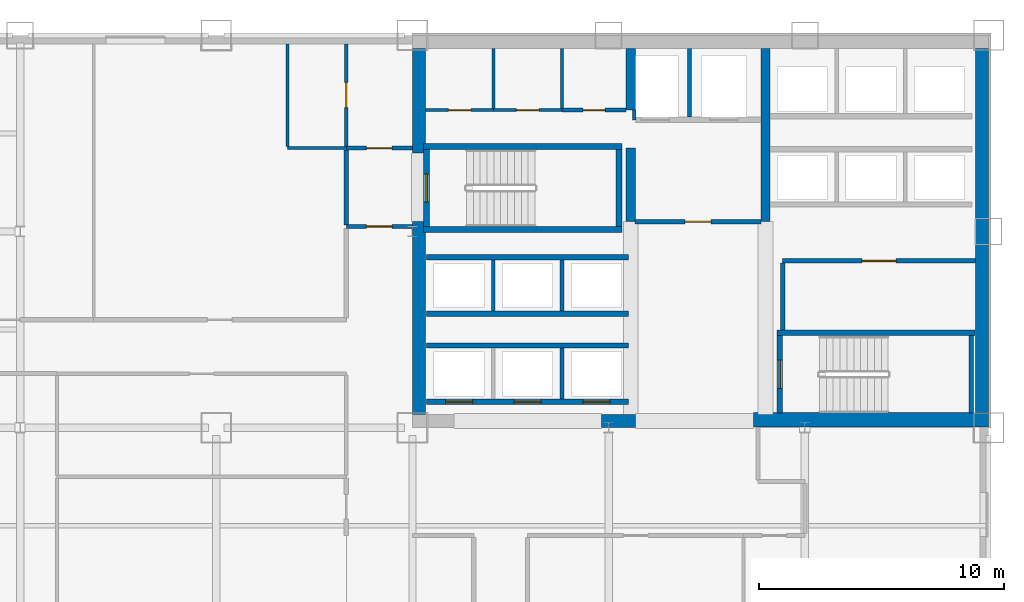
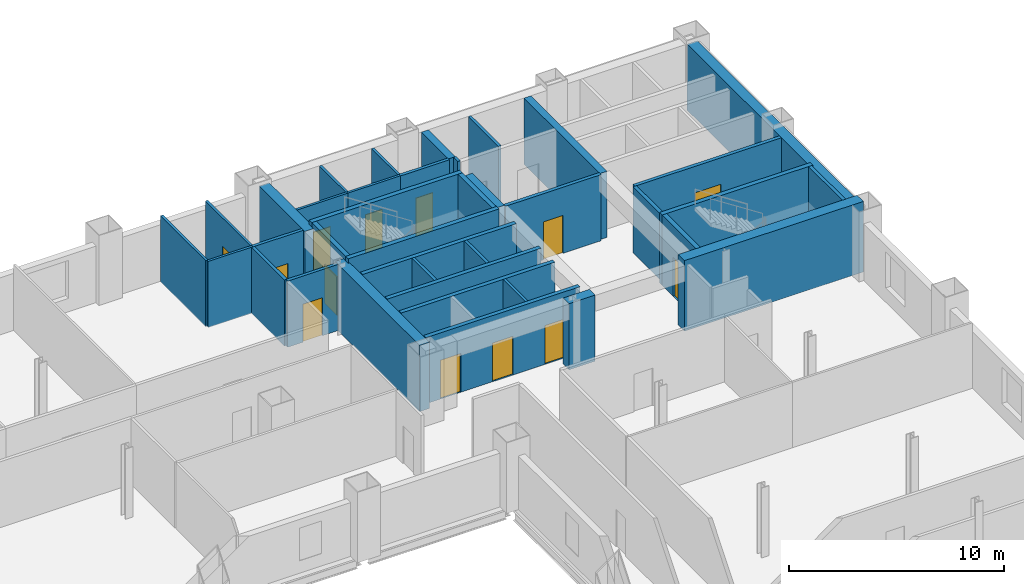
# One storey, part 6 of 9: 38 walls, 13 doors, 13 openings.
"""IFC4 building model written with IfcOpenShell, lengths in metres."""

import ifcopenshell
import ifcopenshell.guid

model = None  # the IFC model being written
_history = None  # IfcOwnerHistory: only IFC2X3 demands one
_inside = {}  # id of a spatial element -> (the spatial element, [elements in it])
_under = {}  # id of a project, library or spatial element -> (it, [spatial elements below it])
_declared = {}  # id of a project -> (the project, [libraries it declares])
_typed = {}  # id of a type object -> (the type object, [elements of that type])
_made_of = {}  # id of a material, layer set ... -> (it, [elements and type objects made of it])


def new_model(schema):
    """Start an empty IFC model of exactly this schema.

    Asked for "IFC4X3", IfcOpenShell would pick the latest addendum, in which some entities
    have other attributes; the version numbers below select the first issue.
    IFC2X3 requires an IfcOwnerHistory on every rooted entity: one is made here for all.
    """
    global model, _history
    if schema == "IFC4X3":
        model = ifcopenshell.file(schema_version=(4, 3, 0, 0))
    else:
        model = ifcopenshell.file(schema=schema)
    _inside.clear()
    _under.clear()
    _declared.clear()
    _typed.clear()
    _made_of.clear()
    _history = None
    if model.schema == "IFC2X3":
        org = make("IfcOrganization", Name="unknown")
        user = make(
            "IfcPersonAndOrganization",
            ThePerson=make("IfcPerson", FamilyName="unknown"),
            TheOrganization=org,
        )
        app = make(
            "IfcApplication",
            ApplicationDeveloper=org,
            Version="unknown",
            ApplicationFullName="unknown",
            ApplicationIdentifier="unknown",
        )
        _history = make(
            "IfcOwnerHistory",
            OwningUser=user,
            OwningApplication=app,
            ChangeAction="ADDED",
            CreationDate=0,
        )
    return model


def make(cls, **values):
    """One entity of the class cls with the attributes given. An attribute that is None is left unset."""
    return model.create_entity(
        cls, **{name: value for name, value in values.items() if value is not None}
    )


def rooted(cls, **values):
    """An entity with a GlobalId (a new one), such as an element, a storey or a relation."""
    return make(cls, GlobalId=ifcopenshell.guid.new(), OwnerHistory=_history, **values)


def si_unit(unit_type, name, prefix=None):
    """IfcSIUnit, for example si_unit("LENGTHUNIT", "METRE", prefix="MILLI")."""
    return make("IfcSIUnit", UnitType=unit_type, Prefix=prefix, Name=name)


def assignment(units):
    """IfcUnitAssignment: the units of a project."""
    return None if units is None else make("IfcUnitAssignment", Units=units)


def point(xyz):
    """IfcCartesianPoint."""
    return None if xyz is None else make("IfcCartesianPoint", Coordinates=xyz)


def direction(xyz):
    """IfcDirection."""
    return None if xyz is None else make("IfcDirection", DirectionRatios=xyz)


def frame(location, z_axis=None, x_axis=None):
    """IfcAxis2Placement3D, a coordinate frame: its origin and axes. An axis left out is left unset."""
    return make(
        "IfcAxis2Placement3D",
        Location=point(location),
        Axis=direction(z_axis),
        RefDirection=direction(x_axis),
    )


def frame_2d(location, x_axis=None):
    """IfcAxis2Placement2D, a coordinate frame in the plane: its origin and x axis."""
    return make(
        "IfcAxis2Placement2D", Location=point(location), RefDirection=direction(x_axis)
    )


def origin():
    """The frame at (0, 0, 0) with its axes left unset."""
    return frame((0.0, 0.0, 0.0))


def place(relative_to, where):
    """IfcLocalPlacement: puts the frame where relative to a parent placement (None: the world)."""
    return make(
        "IfcLocalPlacement", PlacementRelTo=relative_to, RelativePlacement=where
    )


def context(
    kind, dimensions, precision=None, world=None, true_north=None, identifier=None
):
    """IfcGeometricRepresentationContext, for example the 3D "Model" context."""
    return make(
        "IfcGeometricRepresentationContext",
        ContextIdentifier=identifier,
        ContextType=kind,
        CoordinateSpaceDimension=dimensions,
        Precision=precision,
        WorldCoordinateSystem=world,
        TrueNorth=true_north,
    )


def subcontext(parent, identifier, kind, view, scale=None):
    """IfcGeometricRepresentationSubContext, for example "Body" below "Model"."""
    return make(
        "IfcGeometricRepresentationSubContext",
        ContextIdentifier=identifier,
        ContextType=kind,
        ParentContext=parent,
        TargetScale=scale,
        TargetView=view,
    )


def project(units=None, contexts=None):
    """IfcProject with its units and contexts."""
    return rooted(
        "IfcProject",
        Name="project",
        RepresentationContexts=contexts,
        UnitsInContext=assignment(units),
    )


def spatial(cls, under=None, at=None, **own):
    """A site, building, storey or space (cls), placed at a placement, below another one or the project."""
    s = rooted(cls, ObjectPlacement=at, **own)
    if under is not None:
        _under.setdefault(under.id(), (under, []))[1].append(s)
    return s


def profile(cls, at=None, kind="AREA", **sizes):
    """A parametric profile (cls). Its sizes go by their IFC names, for example OverallWidth=200.0."""
    return make(cls, ProfileType=kind, Position=at, **sizes)


def rectangle(**sizes):
    """IfcRectangleProfileDef."""
    return profile("IfcRectangleProfileDef", **sizes)


def extrude(swept, where, along, depth):
    """IfcExtrudedAreaSolid: the profile swept, set in the frame where, extruded along a direction by depth."""
    return make(
        "IfcExtrudedAreaSolid",
        SweptArea=swept,
        Position=where,
        ExtrudedDirection=direction(along),
        Depth=depth,
    )


def shape(context_of_items, identifier, shape_type, items):
    """IfcShapeRepresentation: the items that make up one representation, for example the "Body"."""
    return make(
        "IfcShapeRepresentation",
        ContextOfItems=context_of_items,
        RepresentationIdentifier=identifier,
        RepresentationType=shape_type,
        Items=items,
    )


def material(Name=None, Category=None):
    """IfcMaterial."""
    return make("IfcMaterial", Name=Name, Category=Category)


def layer(
    of_material, thickness, ventilated=None, Name=None, Category=None, Priority=None
):
    """IfcMaterialLayer: one layer of a wall or slab, of a material (None: an air gap)."""
    return make(
        "IfcMaterialLayer",
        Material=of_material,
        LayerThickness=thickness,
        IsVentilated=ventilated,
        Name=Name,
        Category=Category,
        Priority=Priority,
    )


def layer_set(layers, Name=None):
    """IfcMaterialLayerSet."""
    return make("IfcMaterialLayerSet", MaterialLayers=layers, LayerSetName=Name)


def made_of(thing, what):
    """Note that an element or type object is made of a material, layer set ...; save() writes the relation."""
    if what is not None:
        _made_of.setdefault(what.id(), (what, []))[1].append(thing)
    return thing


def type_object(cls, material=None, **own):
    """A type object (cls), such as IfcWallType, which elements share."""
    return made_of(rooted(cls, **own), material)


def element(
    cls,
    number,
    at=None,
    inside=None,
    cuts=None,
    type_object=None,
    material=None,
    context=None,
    identifier="Body",
    shape_type=None,
    held_by="IfcProductDefinitionShape",
    body=None,
    shapes=None,
    **own,
):
    """One element of the class cls, such as IfcWall. Its Tag is "e" and its number.

    at: its placement. inside: the storey or other place that contains it. cuts: it is an
    opening in that element (IfcRelVoidsElement). A single representation is given by context,
    identifier, shape_type and body (its items); several are given by shapes. held_by: the class
    of the entity that holds the representations. save() writes the other relations.
    """
    e = rooted(cls, Tag="e%d" % number, ObjectPlacement=at, **own)
    if body is not None:
        shapes = [shape(context, identifier, shape_type, body)]
    if shapes is not None:
        e.Representation = make(held_by, Representations=shapes)
    if inside is not None:
        _inside.setdefault(inside.id(), (inside, []))[1].append(e)
    if cuts is not None:
        rooted(
            "IfcRelVoidsElement", RelatingBuildingElement=cuts, RelatedOpeningElement=e
        )
    if type_object is not None:
        _typed.setdefault(type_object.id(), (type_object, []))[1].append(e)
    return made_of(e, material)


def fill(opening, filler):
    """IfcRelFillsElement: the door or window that sits in an opening."""
    return rooted(
        "IfcRelFillsElement",
        RelatingOpeningElement=opening,
        RelatedBuildingElement=filler,
    )


def aggregate(whole, parts):
    """IfcRelAggregates: a whole, such as a stair, and the parts it consists of."""
    return rooted("IfcRelAggregates", RelatingObject=whole, RelatedObjects=parts)


def save(model, path):
    """Write the relations noted so far, then the file.

    IfcRelAggregates (storeys below a building ...), IfcRelContainedInSpatialStructure (elements
    in a storey), IfcRelDefinesByType, IfcRelAssociatesMaterial and IfcRelDeclares: one each for
    every whole, place, type object, material and project.
    """
    for whole, parts in _under.values():
        aggregate(whole, parts)
    for where, things in _inside.values():
        rooted(
            "IfcRelContainedInSpatialStructure",
            RelatedElements=things,
            RelatingStructure=where,
        )
    for kind, things in _typed.values():
        rooted("IfcRelDefinesByType", RelatedObjects=things, RelatingType=kind)
    for what, things in _made_of.values():
        rooted("IfcRelAssociatesMaterial", RelatedObjects=things, RelatingMaterial=what)
    for by, libraries in _declared.values():
        rooted("IfcRelDeclares", RelatingContext=by, RelatedDefinitions=libraries)
    model.write(path)


model = new_model("IFC4")

# Units and contexts
model_context = context("Model", 3, precision=1e-05, world=origin(), true_north=direction((0.0, 1.0)))
body_context = subcontext(model_context, "Body", "Model", "MODEL_VIEW")
ifc_project = project(units=[si_unit("LENGTHUNIT", "METRE"), si_unit("AREAUNIT", "SQUARE_METRE"), si_unit("VOLUMEUNIT", "CUBIC_METRE"), si_unit("PLANEANGLEUNIT", "RADIAN"), si_unit("MASSUNIT", "GRAM", prefix="KILO")], contexts=[model_context])

# Site, building, storey
site_placement = place(None, origin())
site = spatial("IfcSite", under=ifc_project, at=site_placement, CompositionType="ELEMENT")
building_placement = place(site_placement, origin())
building = spatial("IfcBuilding", under=site, at=building_placement, Name="Qianrong Seaharbour Tower", CompositionType="ELEMENT")
storey_placement = place(building_placement, frame((0.0, 0.0, 88.199951171875)))
storey = spatial("IfcBuildingStorey", under=building, at=storey_placement, Name="L21", CompositionType="ELEMENT", Elevation=88.199951171875)

# Walls
ifc_material_1 = material(Name="Concrete C70/85", Category="concrete")
ifc_layer_1 = layer(ifc_material_1, 0.5400390625)
ifc_layer_set_1 = layer_set([ifc_layer_1], Name="Concrete C70/85")
wall_type_1 = type_object("IfcWallType", Name="WALL-CORE-540", PredefinedType="SHEAR", material=ifc_layer_set_1)
wall_1_placement = place(storey_placement, frame((63.72998046875, 36.320068359375, 0.0), z_axis=(0.0, 0.0, 1.0), x_axis=(0.0, 1.0, 0.0)))
element("IfcWall", 1, at=wall_1_placement, inside=storey, type_object=wall_type_1, Name="L21 East Core Shear Wall", PredefinedType="SHEAR", context=body_context, shape_type="SweptSolid", body=[
    extrude(rectangle(XDim=15.139892578125, YDim=0.5400390625, at=frame_2d((7.56982421875, 0.0))), origin(), (0.0, 0.0, 1.0), 3.75),
])
wall_2_placement = place(storey_placement, frame((40.77001953125, 36.5400390625, 0.0), z_axis=(0.0, 0.0, 1.0), x_axis=(0.0, 1.0, 0.0)))
element("IfcWall", 2, at=wall_2_placement, inside=storey, type_object=wall_type_1, Name="L21 West Core Shear Wall South", PredefinedType="SHEAR", context=body_context, shape_type="SweptSolid", body=[
    extrude(rectangle(XDim=7.85986328125, YDim=0.5400390625, at=frame_2d((3.929931640625, 0.0))), origin(), (0.0, 0.0, 1.0), 3.75),
])
wall_3_placement = place(storey_placement, frame((40.77001953125, 47.199951171875, 0.0), z_axis=(0.0, 0.0, 1.0), x_axis=(0.0, 1.0, 0.0)))
element("IfcWall", 3, at=wall_3_placement, inside=storey, type_object=wall_type_1, Name="L21 West Core Shear Wall North", PredefinedType="SHEAR", context=body_context, shape_type="SweptSolid", body=[
    extrude(rectangle(XDim=4.260009765625, YDim=0.5400390625, at=frame_2d((2.1298828125, 0.0))), origin(), (0.0, 0.0, 1.0), 3.75),
])
wall_4_placement = place(storey_placement, frame((48.199951171875, 36.27001953125, 0.0), z_axis=(0.0, 0.0, 1.0), x_axis=(1.0, 0.0, 0.0)))
element("IfcWall", 4, at=wall_4_placement, inside=storey, type_object=wall_type_1, Name="L21 South Core Shear Wall S2", PredefinedType="SHEAR", context=body_context, shape_type="SweptSolid", body=[
    extrude(rectangle(XDim=1.400146484375, YDim=0.5400390625, at=frame_2d((0.7001953125, 0.0))), origin(), (0.0, 0.0, 1.0), 3.75),
])
ifc_layer_2 = layer(ifc_material_1, 0.580078125)
ifc_layer_set_2 = layer_set([ifc_layer_2], Name="Concrete C70/85")
wall_type_2 = type_object("IfcWallType", Name="WALL-CORE-580", PredefinedType="SHEAR", material=ifc_layer_set_2)
wall_5_placement = place(storey_placement, frame((54.39990234375, 36.320068359375, 0.0), z_axis=(0.0, 0.0, 1.0), x_axis=(1.0, 0.0, 0.0)))
element("IfcWall", 5, at=wall_5_placement, inside=storey, type_object=wall_type_2, Name="L21 South Core Shear Wall S3", PredefinedType="SHEAR", context=body_context, shape_type="SweptSolid", body=[
    extrude(rectangle(XDim=9.60009765625, YDim=0.580078125, at=frame_2d((4.800048828125, 0.0))), origin(), (0.0, 0.0, 1.0), 4.0),
])
ifc_material_2 = material(Name="Concrete C60/75", Category="concrete")
ifc_layer_3 = layer(ifc_material_2, 0.3798828125)
ifc_layer_set_3 = layer_set([ifc_layer_3], Name="Concrete C60/75")
wall_type_3 = type_object("IfcWallType", Name="WALL-CORE-INT-380", PredefinedType="SHEAR", material=ifc_layer_set_3)
wall_6_placement = place(storey_placement, frame((49.39990234375, 44.39990234375, 0.0), z_axis=(0.0, 0.0, 1.0), x_axis=(0.0, 1.0, 0.0)))
element("IfcWall", 6, at=wall_6_placement, inside=storey, type_object=wall_type_3, Name="L21 Internal Core Shear Wall IW1N1", PredefinedType="SHEAR", context=body_context, shape_type="SweptSolid", body=[
    extrude(rectangle(XDim=3.0, YDim=0.3798828125, at=frame_2d((1.5, 0.0))), origin(), (0.0, 0.0, 1.0), 3.75),
])
wall_7_placement = place(storey_placement, frame((49.39990234375, 48.949951171875, 0.0), z_axis=(0.0, 0.0, 1.0), x_axis=(0.0, 1.0, 0.0)))
element("IfcWall", 7, at=wall_7_placement, inside=storey, type_object=wall_type_3, Name="L21 Internal Core Shear Wall IW1N2", PredefinedType="SHEAR", context=body_context, shape_type="SweptSolid", body=[
    extrude(rectangle(XDim=2.510009765625, YDim=0.3798828125, at=frame_2d((1.2548828125, 0.0))), origin(), (0.0, 0.0, 1.0), 3.75),
])
wall_8_placement = place(storey_placement, frame((54.89990234375, 44.39990234375, 0.0), z_axis=(0.0, 0.0, 1.0), x_axis=(0.0, 1.0, 0.0)))
element("IfcWall", 8, at=wall_8_placement, inside=storey, type_object=wall_type_3, Name="L21 Internal Core Shear Wall IW2N", PredefinedType="SHEAR", context=body_context, shape_type="SweptSolid", body=[
    extrude(rectangle(XDim=7.06005859375, YDim=0.3798828125, at=frame_2d((3.530029296875, 0.0))), origin(), (0.0, 0.0, 1.0), 3.75),
])

# Wall, opening, door
ifc_material_3 = material(Name="Fire-rated acoustic gypsum board partition")
ifc_layer_4 = layer(ifc_material_3, 0.1650390625)
ifc_layer_set_4 = layer_set([ifc_layer_4], Name="Fire-rated acoustic gypsum board partition")
wall_type_4 = type_object("IfcWallType", Name="WALL-CORR-PART-165", PredefinedType="PARTITIONING", material=ifc_layer_set_4)
wall_9_placement = place(storey_placement, frame((37.800048828125, 47.39990234375, 0.0), z_axis=(0.0, 0.0, 1.0), x_axis=(1.0, 0.0, 0.0)))
wall_9 = element("IfcWall", 9, at=wall_9_placement, inside=storey, type_object=wall_type_4, Name="L21 Interior Partition Wall 001", PredefinedType="PARTITIONING", context=body_context, shape_type="SweptSolid", body=[
    extrude(rectangle(XDim=2.699951171875, YDim=0.1650390625, at=frame_2d((1.35009765625, 0.0))), origin(), (0.0, 0.0, 1.0), 3.75),
])
opening_1_placement = place(wall_9_placement, frame((0.824951171875, 0.0, 0.0)))
opening_1 = element("IfcOpeningElement", 10, at=opening_1_placement, cuts=wall_9, Name="Opening DC-01", PredefinedType="OPENING", context=body_context, shape_type="SweptSolid", body=[
    extrude(rectangle(XDim=1.050048828125, YDim=2.14990234375, at=frame_2d((0.52490234375, 1.074951171875))), frame((0.0, 0.092529296875, 0.0), z_axis=(0.0, -1.0, 0.0), x_axis=(1.0, 0.0, 0.0)), (0.0, 0.0, 1.0), 0.18505859375),
])
ifc_material_4 = material(Name="Acoustic timber and galvanized steel fire door assembly", Category="steel")
door_type_1 = type_object("IfcDoorType", Name="DOOR-CORR-FD60-1050x2150", OperationType="NOTDEFINED", PredefinedType="DOOR", material=ifc_material_4)
door_1_placement = place(opening_1_placement, origin())
door_1 = element("IfcDoor", 11, at=door_1_placement, inside=storey, type_object=door_type_1, Name="L21 Smokeproof Stair Vestibule ST-1 Door", OperationType="SINGLE_SWING_RIGHT", OverallHeight=2.14990234375, OverallWidth=1.050048828125, PredefinedType="DOOR", context=body_context, shape_type="SweptSolid", body=[
    extrude(rectangle(XDim=1.050048828125, YDim=2.14990234375, at=frame_2d((0.52490234375, 1.074951171875))), frame((0.0, 0.02490234375, 0.0), z_axis=(0.0, -1.0, 0.0), x_axis=(1.0, 0.0, 0.0)), (0.0, 0.0, 1.0), 0.050048828125),
])
fill(opening_1, door_1)

wall_10_placement = place(storey_placement, frame((40.5, 44.199951171875, 0.0), z_axis=(0.0, 0.0, 1.0), x_axis=(-1.0, 0.0, 0.0)))
wall_10 = element("IfcWall", 12, at=wall_10_placement, inside=storey, type_object=wall_type_4, Name="L21 Interior Partition Wall 002", PredefinedType="PARTITIONING", context=body_context, shape_type="SweptSolid", body=[
    extrude(rectangle(XDim=2.699951171875, YDim=0.1650390625, at=frame_2d((1.35009765625, 0.0))), origin(), (0.0, 0.0, 1.0), 3.75),
])
opening_2_placement = place(wall_10_placement, frame((0.824951171875, 0.0, 0.0)))
opening_2 = element("IfcOpeningElement", 13, at=opening_2_placement, cuts=wall_10, Name="Opening DC-01", PredefinedType="OPENING", context=body_context, shape_type="SweptSolid", body=[
    extrude(rectangle(XDim=1.050048828125, YDim=2.14990234375, at=frame_2d((0.52490234375, 1.074951171875))), frame((0.0, 0.092529296875, 0.0), z_axis=(0.0, -1.0, 0.0), x_axis=(1.0, 0.0, 0.0)), (0.0, 0.0, 1.0), 0.18505859375),
])
door_2_placement = place(opening_2_placement, origin())
door_2 = element("IfcDoor", 14, at=door_2_placement, inside=storey, type_object=door_type_1, Name="L21 Smokeproof Stair Vestibule ST-1 Door", OperationType="SINGLE_SWING_LEFT", OverallHeight=2.14990234375, OverallWidth=1.050048828125, PredefinedType="DOOR", context=body_context, shape_type="SweptSolid", body=[
    extrude(rectangle(XDim=1.050048828125, YDim=2.14990234375, at=frame_2d((0.52490234375, 1.074951171875))), frame((0.0, 0.02490234375, 0.0), z_axis=(0.0, -1.0, 0.0), x_axis=(1.0, 0.0, 0.0)), (0.0, 0.0, 1.0), 0.050048828125),
])
fill(opening_2, door_2)

# Wall
wall_11_placement = place(storey_placement, frame((37.800048828125, 44.2744140625, 0.0), z_axis=(0.0, 0.0, 1.0), x_axis=(0.0, 1.0, 0.0)))
element("IfcWall", 15, at=wall_11_placement, inside=storey, type_object=wall_type_4, Name="L21 Interior Partition Wall 003", PredefinedType="PARTITIONING", context=body_context, shape_type="SweptSolid", body=[
    extrude(rectangle(XDim=3.051025390625, YDim=0.1650390625, at=frame_2d((1.525390625, 0.0))), origin(), (0.0, 0.0, 1.0), 3.75),
])

# Wall, opening, door
wall_12_placement = place(storey_placement, frame((46.60009765625, 48.949951171875, 0.0), z_axis=(0.0, 0.0, 1.0), x_axis=(1.0, 0.0, 0.0)))
wall_12 = element("IfcWall", 16, at=wall_12_placement, inside=storey, type_object=wall_type_4, Name="L21 Interior Partition Wall 009", PredefinedType="PARTITIONING", context=body_context, shape_type="SweptSolid", body=[
    extrude(rectangle(XDim=2.617919921875, YDim=0.1650390625, at=frame_2d((1.30908203125, 0.0))), origin(), (0.0, 0.0, 1.0), 3.75),
])
opening_3_placement = place(wall_12_placement, frame((0.85888671875, 0.0, 0.0)))
opening_3 = element("IfcOpeningElement", 17, at=opening_3_placement, cuts=wall_12, Name="Opening DS-01", PredefinedType="OPENING", context=body_context, shape_type="SweptSolid", body=[
    extrude(rectangle(XDim=0.89990234375, YDim=2.14990234375, at=frame_2d((0.449951171875, 1.074951171875))), frame((0.0, 0.092529296875, 0.0), z_axis=(0.0, -1.0, 0.0), x_axis=(1.0, 0.0, 0.0)), (0.0, 0.0, 1.0), 0.18505859375),
])
door_type_2 = type_object("IfcDoorType", Name="DOOR-STORE-900x2150", OperationType="NOTDEFINED", PredefinedType="DOOR", material=ifc_material_4)
door_3_placement = place(opening_3_placement, origin())
door_3 = element("IfcDoor", 18, at=door_3_placement, inside=storey, type_object=door_type_2, Name="L21 Cleaner Store Room Door", OperationType="SINGLE_SWING_RIGHT", OverallHeight=2.14990234375, OverallWidth=0.89990234375, PredefinedType="DOOR", context=body_context, shape_type="SweptSolid", body=[
    extrude(rectangle(XDim=0.89990234375, YDim=2.14990234375, at=frame_2d((0.449951171875, 1.074951171875))), frame((0.0, 0.02490234375, 0.0), z_axis=(0.0, -1.0, 0.0), x_axis=(1.0, 0.0, 0.0)), (0.0, 0.0, 1.0), 0.050048828125),
])
fill(opening_3, door_3)

ifc_material_5 = material(Name="Double fire-rated gypsum board acoustic partition")
ifc_layer_5 = layer(ifc_material_5, 0.18994140625)
ifc_layer_set_5 = layer_set([ifc_layer_5], Name="Double fire-rated gypsum board acoustic partition")
wall_type_5 = type_object("IfcWallType", Name="WALL-FIRE-PART-190", PredefinedType="PARTITIONING", material=ifc_layer_set_5)
wall_13_placement = place(storey_placement, frame((54.718017578125, 44.39990234375, 0.0), z_axis=(0.0, 0.0, 1.0), x_axis=(-1.0, 0.0, 0.0)))
wall_13 = element("IfcWall", 19, at=wall_13_placement, inside=storey, type_object=wall_type_5, Name="L21 Interior Partition Wall 010", PredefinedType="PARTITIONING", context=body_context, shape_type="SweptSolid", body=[
    extrude(rectangle(XDim=5.135986328125, YDim=0.18994140625, at=frame_2d((2.56787109375, 0.0))), origin(), (0.0, 0.0, 1.0), 3.75),
])
opening_4_placement = place(wall_13_placement, frame((2.04296875, 0.0, 0.0)))
opening_4 = element("IfcOpeningElement", 20, at=opening_4_placement, cuts=wall_13, Name="Opening DC-01", PredefinedType="OPENING", context=body_context, shape_type="SweptSolid", body=[
    extrude(rectangle(XDim=1.050048828125, YDim=2.14990234375, at=frame_2d((0.52490234375, 1.074951171875))), frame((0.0, 0.10498046875, 0.0), z_axis=(0.0, -1.0, 0.0), x_axis=(1.0, 0.0, 0.0)), (0.0, 0.0, 1.0), 0.2099609375),
])
door_4_placement = place(opening_4_placement, origin())
door_4 = element("IfcDoor", 21, at=door_4_placement, inside=storey, type_object=door_type_1, Name="L21 Firefighting Lift Lobby Door", OperationType="SINGLE_SWING_LEFT", OverallHeight=2.14990234375, OverallWidth=1.050048828125, PredefinedType="DOOR", context=body_context, shape_type="SweptSolid", body=[
    extrude(rectangle(XDim=1.050048828125, YDim=2.14990234375, at=frame_2d((0.52490234375, 1.074951171875))), frame((0.0, 0.02490234375, 0.0), z_axis=(0.0, -1.0, 0.0), x_axis=(1.0, 0.0, 0.0)), (0.0, 0.0, 1.0), 0.050048828125),
])
fill(opening_4, door_4)

# Wall
wall_14_placement = place(storey_placement, frame((55.60009765625, 42.712890625, 0.0), z_axis=(0.0, 0.0, 1.0), x_axis=(0.0, -1.0, 0.0)))
element("IfcWall", 22, at=wall_14_placement, inside=storey, type_object=wall_type_5, Name="L21 Interior Partition Wall 011", PredefinedType="PARTITIONING", context=body_context, shape_type="SweptSolid", body=[
    extrude(rectangle(XDim=2.73095703125, YDim=0.18994140625, at=frame_2d((1.365478515625, 0.0))), origin(), (0.0, 0.0, 1.0), 3.75),
])

# Wall, opening, door
wall_15_placement = place(storey_placement, frame((63.4599609375, 42.800048828125, 0.0), z_axis=(0.0, 0.0, 1.0), x_axis=(-1.0, 0.0, 0.0)))
wall_15 = element("IfcWall", 23, at=wall_15_placement, inside=storey, type_object=wall_type_5, Name="L21 Interior Partition Wall 012", PredefinedType="PARTITIONING", context=body_context, shape_type="SweptSolid", body=[
    extrude(rectangle(XDim=7.85986328125, YDim=0.18994140625, at=frame_2d((3.929931640625, 0.0))), origin(), (0.0, 0.0, 1.0), 3.75),
])
opening_5_placement = place(wall_15_placement, frame((3.22998046875, 0.0, 0.0)))
opening_5 = element("IfcOpeningElement", 24, at=opening_5_placement, cuts=wall_15, Name="Opening DP-01", PredefinedType="OPENING", context=body_context, shape_type="SweptSolid", body=[
    extrude(rectangle(XDim=1.39990234375, YDim=2.25, at=frame_2d((0.699951171875, 1.125))), frame((0.0, 0.10498046875, 0.0), z_axis=(0.0, -1.0, 0.0), x_axis=(1.0, 0.0, 0.0)), (0.0, 0.0, 1.0), 0.2099609375),
])
door_type_3 = type_object("IfcDoorType", Name="DOOR-PLANT-PAIR-1400x2250", OperationType="DOUBLE_DOOR_SINGLE_SWING", PredefinedType="DOOR", material=ifc_material_4)
door_5_placement = place(opening_5_placement, origin())
door_5 = element("IfcDoor", 25, at=door_5_placement, inside=storey, type_object=door_type_3, Name="L21 Core Telecom Hub Room Door", OperationType="DOUBLE_DOOR_SINGLE_SWING", OverallHeight=2.25, OverallWidth=1.39990234375, PredefinedType="DOOR", context=body_context, shape_type="SweptSolid", body=[
    extrude(rectangle(XDim=1.39990234375, YDim=2.25, at=frame_2d((0.699951171875, 1.125))), frame((0.0, 0.02490234375, 0.0), z_axis=(0.0, -1.0, 0.0), x_axis=(1.0, 0.0, 0.0)), (0.0, 0.0, 1.0), 0.050048828125),
])
fill(opening_5, door_5)

# Walls
ifc_material_6 = material(Name="Fire-rated gypsum board on steel studs", Category="steel")
ifc_layer_6 = layer(ifc_material_6, 0.14990234375)
ifc_layer_set_6 = layer_set([ifc_layer_6], Name="Fire-rated gypsum board on steel studs")
wall_type_6 = type_object("IfcWallType", Name="WALL-SHAFT-DIV-150", PredefinedType="PARTITIONING", material=ifc_layer_set_6)
wall_16_placement = place(storey_placement, frame((51.800048828125, 48.669921875, 0.0), z_axis=(0.0, 0.0, 1.0), x_axis=(0.0, 1.0, 0.0)))
element("IfcWall", 26, at=wall_16_placement, inside=storey, type_object=wall_type_6, Name="L21 Firefighting Lift Shaft Divider Wall", PredefinedType="PARTITIONING", context=body_context, shape_type="SweptSolid", body=[
    extrude(rectangle(XDim=2.7900390625, YDim=0.14990234375, at=frame_2d((1.39501953125, 0.0))), origin(), (0.0, 0.0, 1.0), 3.75),
])
wall_17_placement = place(storey_placement, frame((49.550048828125, 48.550048828125, 0.0), z_axis=(0.0, 0.0, 1.0), x_axis=(0.0, 1.0, 0.0)))
element("IfcWall", 27, at=wall_17_placement, inside=storey, type_object=wall_type_6, Name="L21 Firefighting Lift Shaft West Return Wall", PredefinedType="PARTITIONING", context=body_context, shape_type="SweptSolid", body=[
    extrude(rectangle(XDim=0.39990234375, YDim=0.14990234375, at=frame_2d((0.199951171875, 0.0))), origin(), (0.0, 0.0, 1.0), 3.75),
])
for number, where, z_axis, x_axis, name in (
    (28, (46.60009765625, 37.159912109375, 0.0), (0.0, 0.0, 1.0), (0.0, 1.0, 0.0), "L21 P1 Lift Hoistway Divider 3"),
    (29, (43.800048828125, 40.760009765625, 0.0), (0.0, 0.0, 1.0), (0.0, 1.0, 0.0), "L21 P2 Lift Hoistway Divider 2"),
    (30, (46.60009765625, 40.760009765625, 0.0), (0.0, 0.0, 1.0), (0.0, 1.0, 0.0), "L21 P2 Lift Hoistway Divider 3"),
):
    element("IfcWall", number, at=place(storey_placement, frame(where, z_axis=z_axis, x_axis=x_axis)), inside=storey, type_object=wall_type_6, Name=name, PredefinedType="PARTITIONING", context=body_context, shape_type="SweptSolid", body=[
        extrude(rectangle(XDim=2.080078125, YDim=0.14990234375, at=frame_2d((1.0400390625, 0.0))), origin(), (0.0, 0.0, 1.0), 3.75),
    ])

# Wall, openings, doors
ifc_layer_7 = layer(ifc_material_6, 0.219970703125)
ifc_layer_set_7 = layer_set([ifc_layer_7], Name="Fire-rated gypsum board on steel studs")
wall_type_7 = type_object("IfcWallType", Name="WALL-SHAFT-GYP220", PredefinedType="PARTITIONING", material=ifc_layer_set_7)
wall_18_placement = place(storey_placement, frame((49.320068359375, 37.050048828125, 0.0), z_axis=(0.0, 0.0, 1.0), x_axis=(-1.0, 0.0, 0.0)))
wall_18 = element("IfcWall", 31, at=wall_18_placement, inside=storey, type_object=wall_type_7, Name="L21 P1 Lift Hoistway Front Wall", PredefinedType="PARTITIONING", context=body_context, shape_type="SweptSolid", body=[
    extrude(rectangle(XDim=8.239990234375, YDim=0.219970703125, at=frame_2d((4.1201171875, 0.0))), origin(), (0.0, 0.0, 1.0), 3.75),
])
opening_6_placement = place(wall_18_placement, frame((6.3701171875, 0.0, 0.0)))
opening_6 = element("IfcOpeningElement", 32, at=opening_6_placement, cuts=wall_18, Name="Opening LD-02", PredefinedType="OPENING", context=body_context, shape_type="SweptSolid", body=[
    extrude(rectangle(XDim=1.10009765625, YDim=2.199951171875, at=frame_2d((0.550048828125, 1.10009765625))), frame((0.0, 0.1201171875, 0.0), z_axis=(0.0, -1.0, 0.0), x_axis=(1.0, 0.0, 0.0)), (0.0, 0.0, 1.0), 0.239990234375),
])
opening_7_placement = place(wall_18_placement, frame((3.570068359375, 0.0, 0.0)))
opening_7 = element("IfcOpeningElement", 33, at=opening_7_placement, cuts=wall_18, Name="Opening LD-02", PredefinedType="OPENING", context=body_context, shape_type="SweptSolid", body=[
    extrude(rectangle(XDim=1.10009765625, YDim=2.199951171875, at=frame_2d((0.550048828125, 1.10009765625))), frame((0.0, 0.1201171875, 0.0), z_axis=(0.0, -1.0, 0.0), x_axis=(1.0, 0.0, 0.0)), (0.0, 0.0, 1.0), 0.239990234375),
])
opening_8_placement = place(wall_18_placement, frame((0.77001953125, 0.0, 0.0)))
opening_8 = element("IfcOpeningElement", 34, at=opening_8_placement, cuts=wall_18, Name="Opening LD-02", PredefinedType="OPENING", context=body_context, shape_type="SweptSolid", body=[
    extrude(rectangle(XDim=1.10009765625, YDim=2.199951171875, at=frame_2d((0.550048828125, 1.10009765625))), frame((0.0, 0.1201171875, 0.0), z_axis=(0.0, -1.0, 0.0), x_axis=(1.0, 0.0, 0.0)), (0.0, 0.0, 1.0), 0.239990234375),
])
ifc_material_7 = material(Name="Stainless steel SUS316L bi-parting lift landing door", Category="steel")
door_type_4 = type_object("IfcDoorType", Name="DOOR-LIFT-PASS-1100x2200", OperationType="DOUBLE_DOOR_SLIDING", PredefinedType="DOOR", material=ifc_material_7)
door_6_placement = place(opening_6_placement, origin())
door_6 = element("IfcDoor", 35, at=door_6_placement, inside=storey, type_object=door_type_4, Name="L21 PL-1A Lift Landing Door", OperationType="DOUBLE_DOOR_SLIDING", OverallHeight=2.199951171875, OverallWidth=1.10009765625, PredefinedType="DOOR", context=body_context, shape_type="SweptSolid", body=[
    extrude(rectangle(XDim=1.10009765625, YDim=2.199951171875, at=frame_2d((0.550048828125, 1.10009765625))), frame((0.0, 0.02490234375, 0.0), z_axis=(0.0, -1.0, 0.0), x_axis=(1.0, 0.0, 0.0)), (0.0, 0.0, 1.0), 0.050048828125),
])
fill(opening_6, door_6)
door_7_placement = place(opening_7_placement, origin())
door_7 = element("IfcDoor", 36, at=door_7_placement, inside=storey, type_object=door_type_4, Name="L21 PL-1B Lift Landing Door", OperationType="DOUBLE_DOOR_SLIDING", OverallHeight=2.199951171875, OverallWidth=1.10009765625, PredefinedType="DOOR", context=body_context, shape_type="SweptSolid", body=[
    extrude(rectangle(XDim=1.10009765625, YDim=2.199951171875, at=frame_2d((0.550048828125, 1.10009765625))), frame((0.0, 0.02490234375, 0.0), z_axis=(0.0, -1.0, 0.0), x_axis=(1.0, 0.0, 0.0)), (0.0, 0.0, 1.0), 0.050048828125),
])
fill(opening_7, door_7)
door_8_placement = place(opening_8_placement, origin())
door_8 = element("IfcDoor", 37, at=door_8_placement, inside=storey, type_object=door_type_4, Name="L21 PL-1C Lift Landing Door", OperationType="DOUBLE_DOOR_SLIDING", OverallHeight=2.199951171875, OverallWidth=1.10009765625, PredefinedType="DOOR", context=body_context, shape_type="SweptSolid", body=[
    extrude(rectangle(XDim=1.10009765625, YDim=2.199951171875, at=frame_2d((0.550048828125, 1.10009765625))), frame((0.0, 0.02490234375, 0.0), z_axis=(0.0, -1.0, 0.0), x_axis=(1.0, 0.0, 0.0)), (0.0, 0.0, 1.0), 0.050048828125),
])
fill(opening_8, door_8)

# Walls
for number, where, z_axis, x_axis, name in (
    (38, (41.080078125, 39.35009765625, 0.0), (0.0, 0.0, 1.0), (1.0, 0.0, 0.0), "L21 P1 Lift Hoistway Back Wall"),
    (39, (49.320068359375, 40.64990234375, 0.0), (0.0, 0.0, 1.0), (-1.0, 0.0, 0.0), "L21 P2 Lift Hoistway Front Wall"),
    (40, (41.080078125, 42.949951171875, 0.0), (0.0, 0.0, 1.0), (1.0, 0.0, 0.0), "L21 P2 Lift Hoistway Back Wall"),
):
    element("IfcWall", number, at=place(storey_placement, frame(where, z_axis=z_axis, x_axis=x_axis)), inside=storey, type_object=wall_type_7, Name=name, PredefinedType="PARTITIONING", context=body_context, shape_type="SweptSolid", body=[
        extrude(rectangle(XDim=8.239990234375, YDim=0.219970703125, at=frame_2d((4.1201171875, 0.0))), origin(), (0.0, 0.0, 1.0), 3.75),
    ])
ifc_material_8 = material(Name="Concrete C50/60", Category="concrete")
ifc_layer_8 = layer(ifc_material_8, 0.239990234375)
ifc_layer_set_8 = layer_set([ifc_layer_8], Name="Concrete C50/60")
wall_type_8 = type_object("IfcWallType", Name="WALL-SHAFT-RC240", PredefinedType="SOLIDWALL", material=ifc_layer_set_8)
for number, where, z_axis, x_axis, name in (
    (41, (40.9599609375, 47.469970703125, 0.0), (0.0, 0.0, 1.0), (1.0, 0.0, 0.0), "L21 ST-1 Structural Stair Core Wall N"),
    (42, (49.0400390625, 44.080078125, 0.0), (0.0, 0.0, 1.0), (-1.0, 0.0, 0.0), "L21 ST-1 Structural Stair Core Wall S"),
):
    element("IfcWall", number, at=place(storey_placement, frame(where, z_axis=z_axis, x_axis=x_axis)), inside=storey, type_object=wall_type_8, Name=name, PredefinedType="SOLIDWALL", context=body_context, shape_type="SweptSolid", body=[
        extrude(rectangle(XDim=8.080078125, YDim=0.239990234375, at=frame_2d((4.0400390625, 0.0))), origin(), (0.0, 0.0, 1.0), 4.0),
    ])

# Wall, opening, door
wall_19_placement = place(storey_placement, frame((41.080078125, 47.35009765625, 0.0), z_axis=(0.0, 0.0, 1.0), x_axis=(0.0, -1.0, 0.0)))
wall_19 = element("IfcWall", 43, at=wall_19_placement, inside=storey, type_object=wall_type_8, Name="L21 ST-1 Structural Stair Core Wall W", PredefinedType="SOLIDWALL", context=body_context, shape_type="SweptSolid", body=[
    extrude(rectangle(XDim=3.150146484375, YDim=0.239990234375, at=frame_2d((1.5751953125, 0.0))), origin(), (0.0, 0.0, 1.0), 4.0),
])
opening_9_placement = place(wall_19_placement, frame((1.0, 0.0, 0.0)))
opening_9 = element("IfcOpeningElement", 44, at=opening_9_placement, cuts=wall_19, Name="Opening SD-01", PredefinedType="OPENING", context=body_context, shape_type="SweptSolid", body=[
    extrude(rectangle(XDim=1.14990234375, YDim=2.199951171875, at=frame_2d((0.574951171875, 1.10009765625))), frame((0.0, 0.1298828125, 0.0), z_axis=(0.0, -1.0, 0.0), x_axis=(1.0, 0.0, 0.0)), (0.0, 0.0, 1.0), 0.260009765625),
])
door_type_5 = type_object("IfcDoorType", Name="DOOR-STAIR-FD60-1150x2200", OperationType="NOTDEFINED", PredefinedType="DOOR", material=ifc_material_4)
door_9_placement = place(opening_9_placement, origin())
door_9 = element("IfcDoor", 45, at=door_9_placement, inside=storey, type_object=door_type_5, Name="L21 ST-1 Protected Stair Door", OperationType="SINGLE_SWING_RIGHT", OverallHeight=2.199951171875, OverallWidth=1.14990234375, PredefinedType="DOOR", context=body_context, shape_type="SweptSolid", body=[
    extrude(rectangle(XDim=1.14990234375, YDim=2.199951171875, at=frame_2d((0.574951171875, 1.10009765625))), frame((0.0, 0.02490234375, 0.0), z_axis=(0.0, -1.0, 0.0), x_axis=(1.0, 0.0, 0.0)), (0.0, 0.0, 1.0), 0.050048828125),
])
fill(opening_9, door_9)

# Walls
wall_20_placement = place(storey_placement, frame((48.919921875, 44.199951171875, 0.0), z_axis=(0.0, 0.0, 1.0), x_axis=(0.0, 1.0, 0.0)))
element("IfcWall", 46, at=wall_20_placement, inside=storey, type_object=wall_type_8, Name="L21 ST-1 Structural Stair Core Wall E", PredefinedType="SOLIDWALL", context=body_context, shape_type="SweptSolid", body=[
    extrude(rectangle(XDim=3.150146484375, YDim=0.239990234375, at=frame_2d((1.5751953125, 0.0))), origin(), (0.0, 0.0, 1.0), 4.0),
])
wall_21_placement = place(storey_placement, frame((55.360107421875, 39.8701171875, 0.0), z_axis=(0.0, 0.0, 1.0), x_axis=(1.0, 0.0, 0.0)))
element("IfcWall", 47, at=wall_21_placement, inside=storey, type_object=wall_type_8, Name="L21 ST-2 Structural Stair Core Wall N", PredefinedType="SOLIDWALL", context=body_context, shape_type="SweptSolid", body=[
    extrude(rectangle(XDim=8.079833984375, YDim=0.239990234375, at=frame_2d((4.0400390625, 0.0))), origin(), (0.0, 0.0, 1.0), 4.0),
])

# Wall, opening, door
wall_22_placement = place(storey_placement, frame((55.47998046875, 39.75, 0.0), z_axis=(0.0, 0.0, 1.0), x_axis=(0.0, -1.0, 0.0)))
wall_22 = element("IfcWall", 48, at=wall_22_placement, inside=storey, type_object=wall_type_8, Name="L21 ST-2 Structural Stair Core Wall W", PredefinedType="SOLIDWALL", context=body_context, shape_type="SweptSolid", body=[
    extrude(rectangle(XDim=3.14990234375, YDim=0.239990234375, at=frame_2d((1.574951171875, 0.0))), origin(), (0.0, 0.0, 1.0), 4.0),
])
opening_10_placement = place(wall_22_placement, frame((1.0, 0.0, 0.0)))
opening_10 = element("IfcOpeningElement", 49, at=opening_10_placement, cuts=wall_22, Name="Opening SD-01", PredefinedType="OPENING", context=body_context, shape_type="SweptSolid", body=[
    extrude(rectangle(XDim=1.14990234375, YDim=2.199951171875, at=frame_2d((0.574951171875, 1.10009765625))), frame((0.0, 0.1298828125, 0.0), z_axis=(0.0, -1.0, 0.0), x_axis=(1.0, 0.0, 0.0)), (0.0, 0.0, 1.0), 0.260009765625),
])
door_10_placement = place(opening_10_placement, origin())
door_10 = element("IfcDoor", 50, at=door_10_placement, inside=storey, type_object=door_type_5, Name="L21 ST-2 Protected Stair Door", OperationType="SINGLE_SWING_RIGHT", OverallHeight=2.199951171875, OverallWidth=1.14990234375, PredefinedType="DOOR", context=body_context, shape_type="SweptSolid", body=[
    extrude(rectangle(XDim=1.14990234375, YDim=2.199951171875, at=frame_2d((0.574951171875, 1.10009765625))), frame((0.0, 0.02490234375, 0.0), z_axis=(0.0, -1.0, 0.0), x_axis=(1.0, 0.0, 0.0)), (0.0, 0.0, 1.0), 0.050048828125),
])
fill(opening_10, door_10)

# Wall
wall_23_placement = place(storey_placement, frame((63.2900390625, 36.60009765625, 0.0), z_axis=(0.0, 0.0, 1.0), x_axis=(0.0, 1.0, 0.0)))
element("IfcWall", 51, at=wall_23_placement, inside=storey, type_object=wall_type_8, Name="L21 ST-2 Structural Stair Core Wall E", PredefinedType="SOLIDWALL", context=body_context, shape_type="SweptSolid", body=[
    extrude(rectangle(XDim=3.14990234375, YDim=0.179931640625, at=frame_2d((1.574951171875, 0.0))), origin(), (0.0, 0.0, 1.0), 4.0),
])

# Wall, opening, door
ifc_material_9 = material(Name="Water-resistant cement board sanitary partition")
ifc_layer_9 = layer(ifc_material_9, 0.1298828125)
ifc_layer_set_9 = layer_set([ifc_layer_9], Name="Water-resistant cement board sanitary partition")
wall_type_9 = type_object("IfcWallType", Name="WALL-WET-PART-130", PredefinedType="PARTITIONING", material=ifc_layer_set_9)
wall_24_placement = place(storey_placement, frame((37.800048828125, 47.474609375, 0.0), z_axis=(0.0, 0.0, 1.0), x_axis=(0.0, 1.0, 0.0)))
wall_24 = element("IfcWall", 52, at=wall_24_placement, inside=storey, type_object=wall_type_9, Name="L21 Interior Partition Wall 004", PredefinedType="PARTITIONING", context=body_context, shape_type="SweptSolid", body=[
    extrude(rectangle(XDim=4.17333984375, YDim=0.1298828125, at=frame_2d((2.086669921875, 0.0))), origin(), (0.0, 0.0, 1.0), 3.75),
])
opening_11_placement = place(wall_24_placement, frame((1.57666015625, 0.0, 0.0)))
opening_11 = element("IfcOpeningElement", 53, at=opening_11_placement, cuts=wall_24, Name="Opening DAW-01", PredefinedType="OPENING", context=body_context, shape_type="SweptSolid", body=[
    extrude(rectangle(XDim=1.02001953125, YDim=2.14990234375, at=frame_2d((0.510009765625, 1.074951171875))), frame((0.0, 0.074951171875, 0.0), z_axis=(0.0, -1.0, 0.0), x_axis=(1.0, 0.0, 0.0)), (0.0, 0.0, 1.0), 0.14990234375),
])
door_type_6 = type_object("IfcDoorType", Name="DOOR-AWC-SLIDE-1020x2150", OperationType="SLIDING_TO_LEFT", PredefinedType="DOOR", material=ifc_material_4)
door_11_placement = place(opening_11_placement, origin())
door_11 = element("IfcDoor", 54, at=door_11_placement, inside=storey, type_object=door_type_6, Name="L21 Accessible Restroom WC Door", OperationType="SLIDING_TO_LEFT", OverallHeight=2.14990234375, OverallWidth=1.02001953125, PredefinedType="DOOR", context=body_context, shape_type="SweptSolid", body=[
    extrude(rectangle(XDim=1.02001953125, YDim=2.14990234375, at=frame_2d((0.510009765625, 1.074951171875))), frame((0.0, 0.02490234375, 0.0), z_axis=(0.0, -1.0, 0.0), x_axis=(1.0, 0.0, 0.0)), (0.0, 0.0, 1.0), 0.050048828125),
])
fill(opening_11, door_11)

# Walls
wall_25_placement = place(storey_placement, frame((37.800048828125, 47.39990234375, 0.0), z_axis=(0.0, 0.0, 1.0), x_axis=(-1.0, 0.0, 0.0)))
element("IfcWall", 55, at=wall_25_placement, inside=storey, type_object=wall_type_9, Name="L21 Interior Partition Wall 005", PredefinedType="PARTITIONING", context=body_context, shape_type="SweptSolid", body=[
    extrude(rectangle(XDim=2.400146484375, YDim=0.1298828125, at=frame_2d((1.2001953125, 0.0))), origin(), (0.0, 0.0, 1.0), 3.75),
])
wall_26_placement = place(storey_placement, frame((35.39990234375, 47.45703125, 0.0), z_axis=(0.0, 0.0, 1.0), x_axis=(0.0, 1.0, 0.0)))
element("IfcWall", 56, at=wall_26_placement, inside=storey, type_object=wall_type_9, Name="L21 Interior Partition Wall 006", PredefinedType="PARTITIONING", context=body_context, shape_type="SweptSolid", body=[
    extrude(rectangle(XDim=4.19091796875, YDim=0.1298828125, at=frame_2d((2.095458984375, 0.0))), origin(), (0.0, 0.0, 1.0), 3.75),
])

# Wall, opening, door
wall_27_placement = place(storey_placement, frame((41.0400390625, 48.949951171875, 0.0), z_axis=(0.0, 0.0, 1.0), x_axis=(1.0, 0.0, 0.0)))
wall_27 = element("IfcWall", 57, at=wall_27_placement, inside=storey, type_object=wall_type_9, Name="L21 Interior Partition Wall 007", PredefinedType="PARTITIONING", context=body_context, shape_type="SweptSolid", body=[
    extrude(rectangle(XDim=2.760009765625, YDim=0.1298828125, at=frame_2d((1.3798828125, 0.0))), origin(), (0.0, 0.0, 1.0), 3.75),
])
opening_12_placement = place(wall_27_placement, frame((0.919921875, 0.0, 0.0)))
opening_12 = element("IfcOpeningElement", 58, at=opening_12_placement, cuts=wall_27, Name="Opening DW-01", PredefinedType="OPENING", context=body_context, shape_type="SweptSolid", body=[
    extrude(rectangle(XDim=0.919921875, YDim=2.14990234375, at=frame_2d((0.4599609375, 1.074951171875))), frame((0.0, 0.074951171875, 0.0), z_axis=(0.0, -1.0, 0.0), x_axis=(1.0, 0.0, 0.0)), (0.0, 0.0, 1.0), 0.14990234375),
])
door_type_7 = type_object("IfcDoorType", Name="DOOR-WC-920x2150", OperationType="NOTDEFINED", PredefinedType="DOOR", material=ifc_material_4)
door_12_placement = place(opening_12_placement, origin())
door_12 = element("IfcDoor", 59, at=door_12_placement, inside=storey, type_object=door_type_7, Name="L21 Male Restroom WC Door", OperationType="SINGLE_SWING_RIGHT", OverallHeight=2.14990234375, OverallWidth=0.919921875, PredefinedType="DOOR", context=body_context, shape_type="SweptSolid", body=[
    extrude(rectangle(XDim=0.919921875, YDim=2.14990234375, at=frame_2d((0.4599609375, 1.074951171875))), frame((0.0, 0.02490234375, 0.0), z_axis=(0.0, -1.0, 0.0), x_axis=(1.0, 0.0, 0.0)), (0.0, 0.0, 1.0), 0.050048828125),
])
fill(opening_12, door_12)

wall_28_placement = place(storey_placement, frame((43.800048828125, 48.949951171875, 0.0), z_axis=(0.0, 0.0, 1.0), x_axis=(1.0, 0.0, 0.0)))
wall_28 = element("IfcWall", 60, at=wall_28_placement, inside=storey, type_object=wall_type_9, Name="L21 Interior Partition Wall 008", PredefinedType="PARTITIONING", context=body_context, shape_type="SweptSolid", body=[
    extrude(rectangle(XDim=2.800048828125, YDim=0.1298828125, at=frame_2d((1.39990234375, 0.0))), origin(), (0.0, 0.0, 1.0), 3.75),
])
opening_13_placement = place(wall_28_placement, frame((0.93994140625, 0.0, 0.0)))
opening_13 = element("IfcOpeningElement", 61, at=opening_13_placement, cuts=wall_28, Name="Opening DW-01", PredefinedType="OPENING", context=body_context, shape_type="SweptSolid", body=[
    extrude(rectangle(XDim=0.919921875, YDim=2.14990234375, at=frame_2d((0.4599609375, 1.074951171875))), frame((0.0, 0.074951171875, 0.0), z_axis=(0.0, -1.0, 0.0), x_axis=(1.0, 0.0, 0.0)), (0.0, 0.0, 1.0), 0.14990234375),
])
door_13_placement = place(opening_13_placement, origin())
door_13 = element("IfcDoor", 62, at=door_13_placement, inside=storey, type_object=door_type_7, Name="L21 Female Restroom WC Door", OperationType="SINGLE_SWING_LEFT", OverallHeight=2.14990234375, OverallWidth=0.919921875, PredefinedType="DOOR", context=body_context, shape_type="SweptSolid", body=[
    extrude(rectangle(XDim=0.919921875, YDim=2.14990234375, at=frame_2d((0.4599609375, 1.074951171875))), frame((0.0, 0.02490234375, 0.0), z_axis=(0.0, -1.0, 0.0), x_axis=(1.0, 0.0, 0.0)), (0.0, 0.0, 1.0), 0.050048828125),
])
fill(opening_13, door_13)

# Walls
wall_29_placement = place(storey_placement, frame((43.800048828125, 51.4599609375, 0.0), z_axis=(0.0, 0.0, 1.0), x_axis=(0.0, -1.0, 0.0)))
element("IfcWall", 63, at=wall_29_placement, inside=storey, type_object=wall_type_9, Name="L21 Interior Partition Wall 013", PredefinedType="PARTITIONING", context=body_context, shape_type="SweptSolid", body=[
    extrude(rectangle(XDim=2.452880859375, YDim=0.1298828125, at=frame_2d((1.2265625, 0.0))), origin(), (0.0, 0.0, 1.0), 3.75),
])
wall_30_placement = place(storey_placement, frame((46.60009765625, 51.4599609375, 0.0), z_axis=(0.0, 0.0, 1.0), x_axis=(0.0, -1.0, 0.0)))
element("IfcWall", 64, at=wall_30_placement, inside=storey, type_object=wall_type_9, Name="L21 Interior Partition Wall 014", PredefinedType="PARTITIONING", context=body_context, shape_type="SweptSolid", body=[
    extrude(rectangle(XDim=2.435546875, YDim=0.1298828125, at=frame_2d((1.2177734375, 0.0))), origin(), (0.0, 0.0, 1.0), 3.75),
])

save(model, "model.ifc")
